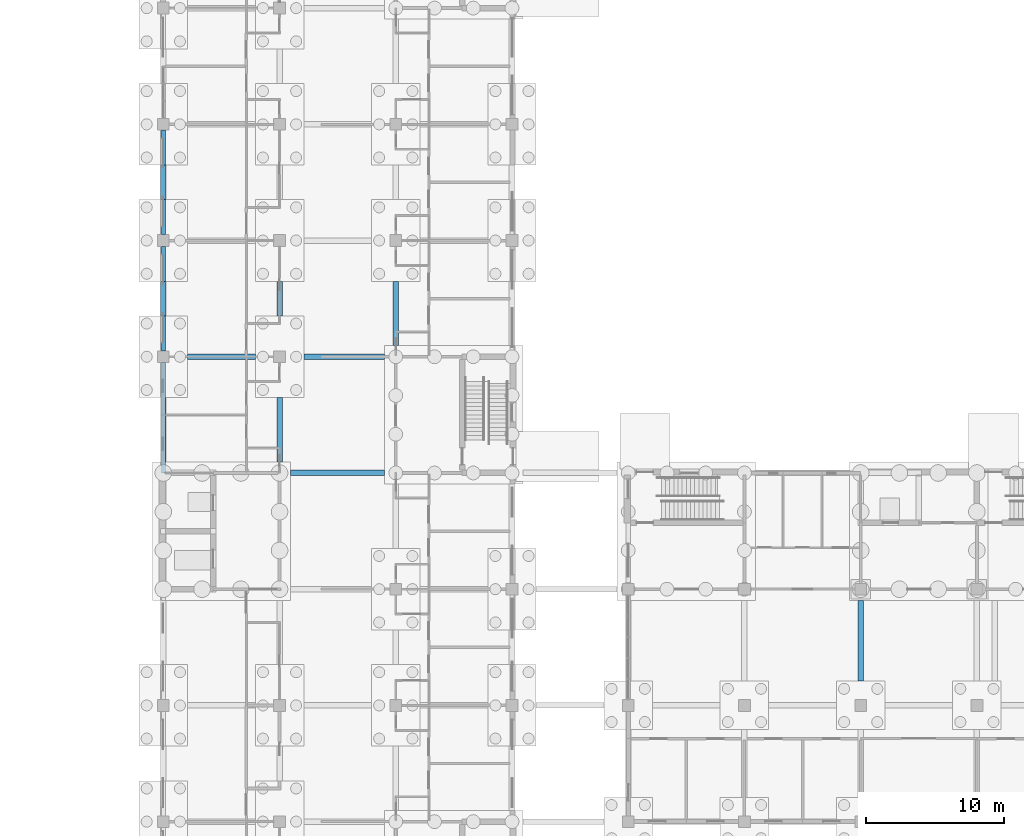
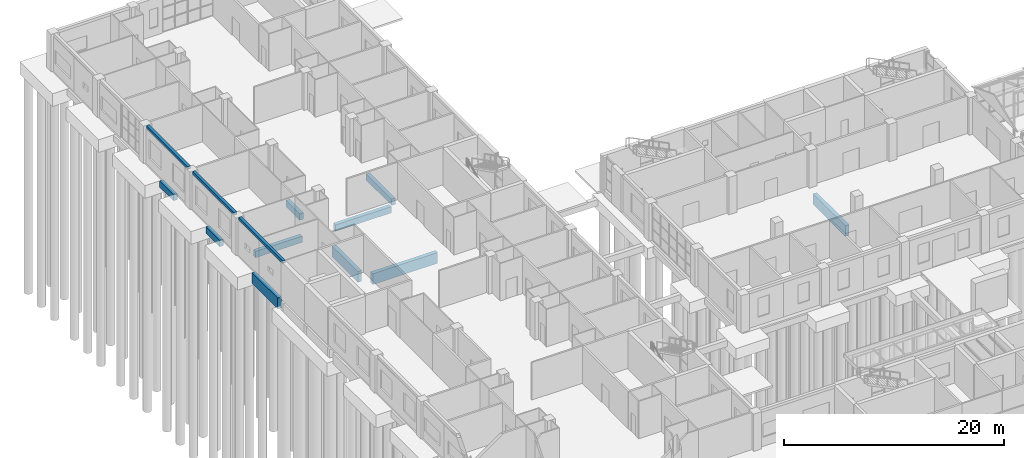
# One storey, part 45 of 138: 13 beams.
"""IFC4 building model written with IfcOpenShell, lengths in metres."""

from ifc_helpers import new_model, si_unit, direction, frame, origin, origin_2d, place, context, subcontext, project, spatial, rectangle, extrude, material, material_profile, profile_set, type_object, element, save


model = new_model("IFC4")

# Units and contexts
model_context = context("Model", 3, precision=1e-05, world=origin(), true_north=direction((0.0, 1.0)))
body_context = subcontext(model_context, "Body", "Model", "MODEL_VIEW")
ifc_project = project(units=[si_unit("LENGTHUNIT", "METRE"), si_unit("AREAUNIT", "SQUARE_METRE"), si_unit("VOLUMEUNIT", "CUBIC_METRE"), si_unit("PLANEANGLEUNIT", "RADIAN"), si_unit("MASSUNIT", "GRAM", prefix="KILO")], contexts=[model_context])

# Site, building, storey
site_placement = place(None, origin())
site = spatial("IfcSite", under=ifc_project, at=site_placement, CompositionType="ELEMENT")
building_placement = place(site_placement, origin())
building = spatial("IfcBuilding", under=site, at=building_placement, Name="Yavir Park General Hospital", CompositionType="ELEMENT")
storey_placement = place(building_placement, origin())
storey = spatial("IfcBuildingStorey", under=building, at=storey_placement, Name="L00", CompositionType="ELEMENT", Elevation=0.0)

# Beams
ifc_material_1 = material(Name="Concrete C35/45", Category="concrete")
ifc_material_profile_1 = material_profile(ifc_material_1, rectangle(XDim=0.300048828125, YDim=0.300048828125, at=origin_2d()), Name="RC300x300")
ifc_profile_set_1 = profile_set([ifc_material_profile_1], Name="Concrete C35/45")
beam_type_1 = type_object("IfcBeamType", Name="RC BEAM 300x300 edge beam", PredefinedType="BEAM", material=ifc_profile_set_1)
beam_1_placement = place(storey_placement, frame((0.0, 75.60009765625, 3.989990234375), z_axis=(0.0, 1.0, 0.0), x_axis=(-1.0, 0.0, 0.0)))
element("IfcBeam", 1, at=beam_1_placement, inside=storey, type_object=beam_type_1, Name="B:EDGE:L00:030", PredefinedType="BEAM", context=body_context, shape_type="SweptSolid", body=[
    extrude(rectangle(XDim=0.300048828125, YDim=0.300048828125, at=origin_2d()), origin(), (0.0, 0.0, 1.0), 7.974853515625),
])
for number, where, z_axis, x_axis, name in (
    (2, (0.0, 84.425048828125, 3.989990234375), (0.0, 1.0, 0.0), (-1.0, 0.0, 0.0), "B:EDGE:L00:031"),
    (3, (0.0, 92.824951171875, 3.989990234375), (0.0, 1.0, 0.0), (-1.0, 0.0, 0.0), "B:EDGE:L00:032"),
):
    element("IfcBeam", number, at=place(storey_placement, frame(where, z_axis=z_axis, x_axis=x_axis)), inside=storey, type_object=beam_type_1, Name=name, PredefinedType="BEAM", context=body_context, shape_type="SweptSolid", body=[
        extrude(rectangle(XDim=0.300048828125, YDim=0.300048828125, at=origin_2d()), origin(), (0.0, 0.0, 1.0), 7.550048828125),
    ])
ifc_material_2 = material(Name="Concrete C35/45", Category="concrete")
ifc_material_profile_2 = material_profile(ifc_material_2, rectangle(XDim=0.39990234375, YDim=1.199951171875, at=origin_2d()), Name="RC400x1200")
ifc_profile_set_2 = profile_set([ifc_material_profile_2], Name="Concrete C35/45")
beam_type_2 = type_object("IfcBeamType", Name="RC BEAM 400x1200 ground beam", PredefinedType="BEAM", material=ifc_profile_set_2)
beam_2_placement = place(storey_placement, frame((9.199951171875, 75.60009765625, -1.050048828125), z_axis=(1.0, 0.0, 0.0), x_axis=(0.0, 1.0, 0.0)))
element("IfcBeam", 4, at=beam_2_placement, inside=storey, type_object=beam_type_2, Name="B:GND:L00:AL:L00:SW2", PredefinedType="BEAM", context=body_context, shape_type="SweptSolid", body=[
    extrude(rectangle(XDim=0.39990234375, YDim=1.199951171875, at=origin_2d()), origin(), (0.0, 0.0, 1.0), 6.800048828125),
])
beam_3_placement = place(storey_placement, frame((50.39990234375, 60.550048828125, -1.050048828125), z_axis=(0.0, 1.0, 0.0), x_axis=(-1.0, 0.0, 0.0)))
element("IfcBeam", 5, at=beam_3_placement, inside=storey, type_object=beam_type_2, Name="B:GND:L00:7H:L00:CPL", PredefinedType="BEAM", context=body_context, shape_type="SweptSolid", body=[
    extrude(rectangle(XDim=0.39990234375, YDim=1.199951171875, at=origin_2d()), origin(), (0.0, 0.0, 1.0), 5.849853515625),
])
for number, where, z_axis, x_axis, name in (
    (6, (0.0, 76.39990234375, -1.050048828125), (0.0, 1.0, 0.0), (-1.0, 0.0, 0.0), "B:GND:L00:AL:L00:1L"),
    (7, (8.39990234375, 76.39990234375, -1.050048828125), (0.0, 1.0, 0.0), (-1.0, 0.0, 0.0), "B:GND:L00:AL:L00:2L"),
):
    element("IfcBeam", number, at=place(storey_placement, frame(where, z_axis=z_axis, x_axis=x_axis)), inside=storey, type_object=beam_type_2, Name=name, PredefinedType="BEAM", context=body_context, shape_type="SweptSolid", body=[
        extrude(rectangle(XDim=0.39990234375, YDim=1.199951171875, at=origin_2d()), origin(), (0.0, 0.0, 1.0), 4.650146484375),
    ])
ifc_material_3 = material(Name="Concrete C35/45", Category="concrete")
ifc_material_profile_3 = material_profile(ifc_material_3, rectangle(XDim=0.39990234375, YDim=0.699951171875, at=origin_2d()), Name="RC400x700")
ifc_profile_set_3 = profile_set([ifc_material_profile_3], Name="Concrete C35/45")
beam_type_3 = type_object("IfcBeamType", Name="RC BEAM 400x700 ground beam", PredefinedType="BEAM", material=ifc_profile_set_3)
beam_4_placement = place(storey_placement, frame((1.75, 84.0, -0.800048828125), z_axis=(1.0, 0.0, 0.0), x_axis=(0.0, 1.0, 0.0)))
element("IfcBeam", 8, at=beam_4_placement, inside=storey, type_object=beam_type_3, Name="B:GND:L00:1L:L00:2L", PredefinedType="BEAM", context=body_context, shape_type="SweptSolid", body=[
    extrude(rectangle(XDim=0.39990234375, YDim=0.699951171875, at=origin_2d()), origin(), (0.0, 0.0, 1.0), 4.89990234375),
])
beam_5_placement = place(storey_placement, frame((10.14990234375, 84.0, -0.800048828125), z_axis=(1.0, 0.0, 0.0), x_axis=(0.0, 1.0, 0.0)))
element("IfcBeam", 9, at=beam_5_placement, inside=storey, type_object=beam_type_3, Name="B:GND:L00:2L:L00:SW2", PredefinedType="BEAM", context=body_context, shape_type="SweptSolid", body=[
    extrude(rectangle(XDim=0.39990234375, YDim=0.699951171875, at=origin_2d()), origin(), (0.0, 0.0, 1.0), 5.85009765625),
])
for number, where, z_axis, x_axis, name in (
    (10, (0.0, 86.949951171875, -0.800048828125), (0.0, 1.0, 0.0), (-1.0, 0.0, 0.0), "B:GND:L00:1L:L00:1M"),
    (11, (0.0, 95.35009765625, -0.800048828125), (0.0, 1.0, 0.0), (-1.0, 0.0, 0.0), "B:GND:L00:1M:L00:1N"),
    (12, (8.39990234375, 86.949951171875, -0.800048828125), (0.0, 1.0, 0.0), (-1.0, 0.0, 0.0), "B:GND:L00:2L:L00:2M"),
):
    element("IfcBeam", number, at=place(storey_placement, frame(where, z_axis=z_axis, x_axis=x_axis)), inside=storey, type_object=beam_type_3, Name=name, PredefinedType="BEAM", context=body_context, shape_type="SweptSolid", body=[
        extrude(rectangle(XDim=0.39990234375, YDim=0.699951171875, at=origin_2d()), origin(), (0.0, 0.0, 1.0), 2.5),
    ])
beam_6_placement = place(storey_placement, frame((16.800048828125, 84.800048828125, -0.800048828125), z_axis=(0.0, 1.0, 0.0), x_axis=(-1.0, 0.0, 0.0)))
element("IfcBeam", 13, at=beam_6_placement, inside=storey, type_object=beam_type_3, Name="B:GND:L00:SW2:L00:3M", PredefinedType="BEAM", context=body_context, shape_type="SweptSolid", body=[
    extrude(rectangle(XDim=0.39990234375, YDim=0.699951171875, at=origin_2d()), origin(), (0.0, 0.0, 1.0), 4.64990234375),
])

save(model, "model.ifc")
